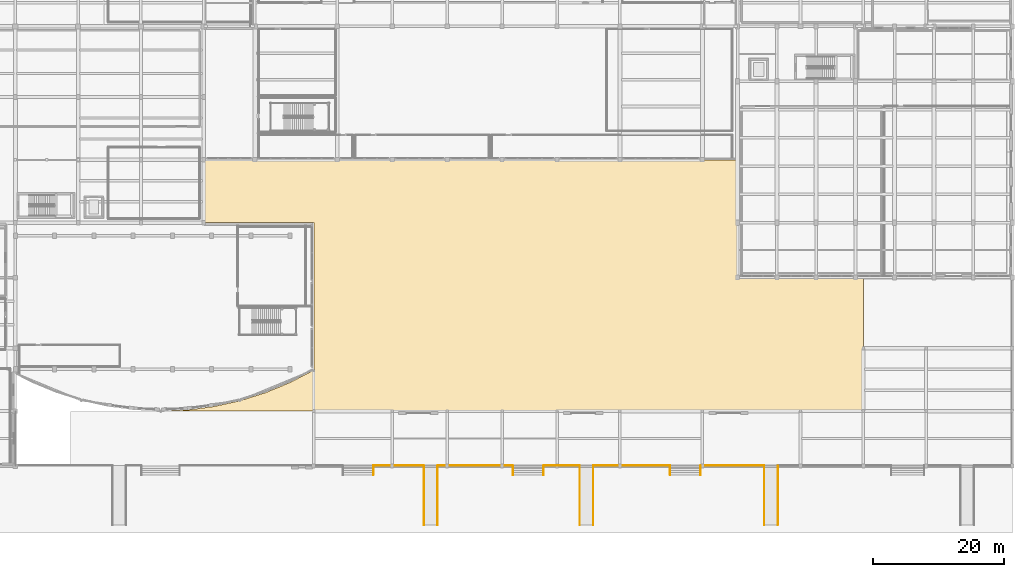
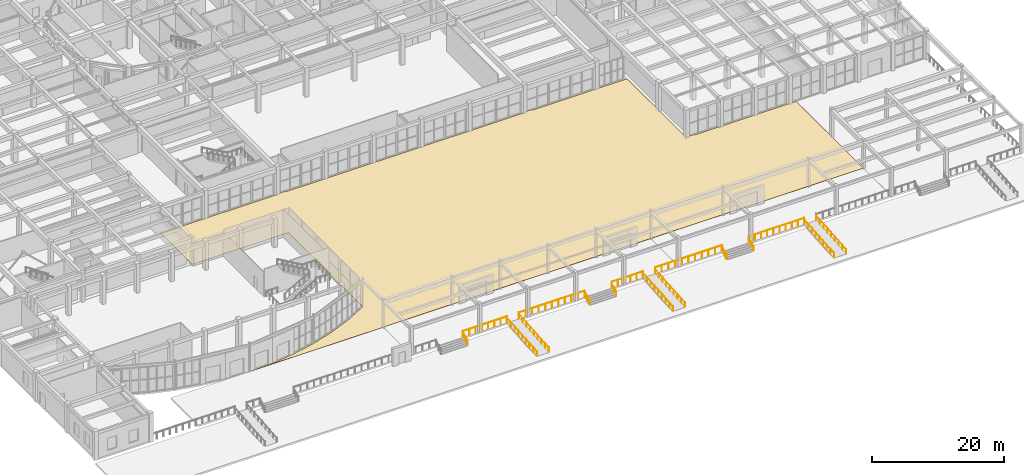
# One storey, part 87 of 98: 16 railings, 1 covering.
"""IFC4 building model written with IfcOpenShell, lengths in metres."""

from ifc_helpers import new_model, si_unit, direction, frame, origin, origin_2d, place, context, subcontext, project, spatial, polyline, circle, outline, extrude, material, layer, layer_set, type_object, element, save


model = new_model("IFC4")

# Units and contexts
model_context = context("Model", 3, precision=1e-05, world=origin(), true_north=direction((0.0, 1.0)))
body_context = subcontext(model_context, "Body", "Model", "MODEL_VIEW")
ifc_project = project(units=[si_unit("LENGTHUNIT", "METRE"), si_unit("AREAUNIT", "SQUARE_METRE"), si_unit("VOLUMEUNIT", "CUBIC_METRE"), si_unit("PLANEANGLEUNIT", "RADIAN"), si_unit("MASSUNIT", "GRAM", prefix="KILO")], contexts=[model_context])

# Site, building, storey
site_placement = place(None, origin())
site = spatial("IfcSite", under=ifc_project, at=site_placement, CompositionType="ELEMENT")
building_placement = place(site_placement, origin())
building = spatial("IfcBuilding", under=site, at=building_placement, Name="Tarnavel Promenade Courthouse", CompositionType="ELEMENT")
storey_placement = place(building_placement, origin())
storey = spatial("IfcBuildingStorey", under=building, at=storey_placement, Name="L01", CompositionType="ELEMENT", Elevation=0.0)

# Railings
ifc_material_1 = material(Name="Carved Limestone and Bronze Terrace Balustrade", Category="masonry")
railing_type_1 = type_object("IfcRailingType", Name="Carved Limestone and Bronze Terrace Balustrade (RL-BAL-1150)", PredefinedType="BALUSTRADE", material=ifc_material_1)
railing_1_placement = place(storey_placement, frame((64.360107421875, 0.080078125, 0.0)))
element("IfcRailing", 1, at=railing_1_placement, inside=storey, type_object=railing_type_1, Name="South Promenade Plinth Edge Balustrade 04", PredefinedType="BALUSTRADE", context=body_context, shape_type="SweptSolid", body=[
    extrude(circle(Radius=0.02392578125, at=origin_2d()), frame((0.0, 0.0, 1.1259765625), z_axis=(1.0, 0.0, 0.0), x_axis=(0.0, 1.0, 0.0)), (0.0, 0.0, 1.0), 7.679931640625),
    extrude(circle(Radius=0.02099609375, at=origin_2d()), origin(), (0.0, 0.0, 1.0), 1.101806640625),
    extrude(circle(Radius=0.02099609375, at=origin_2d()), frame((1.09716796875, 0.0, 0.0)), (0.0, 0.0, 1.0), 1.101806640625),
    extrude(circle(Radius=0.02099609375, at=origin_2d()), frame((2.1943359375, 0.0, 0.0)), (0.0, 0.0, 1.0), 1.101806640625),
    extrude(circle(Radius=0.02099609375, at=origin_2d()), frame((3.29150390625, 0.0, 0.0)), (0.0, 0.0, 1.0), 1.101806640625),
    extrude(circle(Radius=0.02099609375, at=origin_2d()), frame((4.388427734375, 0.0, 0.0)), (0.0, 0.0, 1.0), 1.101806640625),
    extrude(circle(Radius=0.02099609375, at=origin_2d()), frame((5.485595703125, 0.0, 0.0)), (0.0, 0.0, 1.0), 1.101806640625),
    extrude(circle(Radius=0.02099609375, at=origin_2d()), frame((6.582763671875, 0.0, 0.0)), (0.0, 0.0, 1.0), 1.101806640625),
    extrude(circle(Radius=0.02099609375, at=origin_2d()), frame((7.679931640625, 0.0, 0.0)), (0.0, 0.0, 1.0), 1.101806640625),
])
railing_2_placement = place(storey_placement, frame((74.159912109375, 0.080078125, 0.0)))
element("IfcRailing", 2, at=railing_2_placement, inside=storey, type_object=railing_type_1, Name="South Promenade Plinth Edge Balustrade 05", PredefinedType="BALUSTRADE", context=body_context, shape_type="SweptSolid", body=[
    extrude(circle(Radius=0.02392578125, at=origin_2d()), frame((0.0, 0.0, 1.1259765625), z_axis=(1.0, 0.0, 0.0), x_axis=(0.0, 1.0, 0.0)), (0.0, 0.0, 1.0), 11.47998046875),
    extrude(circle(Radius=0.02099609375, at=origin_2d()), origin(), (0.0, 0.0, 1.0), 1.101806640625),
    extrude(circle(Radius=0.02099609375, at=origin_2d()), frame((1.14794921875, 0.0, 0.0)), (0.0, 0.0, 1.0), 1.101806640625),
    extrude(circle(Radius=0.02099609375, at=origin_2d()), frame((2.2958984375, 0.0, 0.0)), (0.0, 0.0, 1.0), 1.101806640625),
    extrude(circle(Radius=0.02099609375, at=origin_2d()), frame((3.444091796875, 0.0, 0.0)), (0.0, 0.0, 1.0), 1.101806640625),
    extrude(circle(Radius=0.02099609375, at=origin_2d()), frame((4.592041015625, 0.0, 0.0)), (0.0, 0.0, 1.0), 1.101806640625),
    extrude(circle(Radius=0.02099609375, at=origin_2d()), frame((5.739990234375, 0.0, 0.0)), (0.0, 0.0, 1.0), 1.101806640625),
    extrude(circle(Radius=0.02099609375, at=origin_2d()), frame((6.887939453125, 0.0, 0.0)), (0.0, 0.0, 1.0), 1.101806640625),
    extrude(circle(Radius=0.02099609375, at=origin_2d()), frame((8.035888671875, 0.0, 0.0)), (0.0, 0.0, 1.0), 1.101806640625),
    extrude(circle(Radius=0.02099609375, at=origin_2d()), frame((9.18408203125, 0.0, 0.0)), (0.0, 0.0, 1.0), 1.101806640625),
    extrude(circle(Radius=0.02099609375, at=origin_2d()), frame((10.33203125, 0.0, 0.0)), (0.0, 0.0, 1.0), 1.101806640625),
    extrude(circle(Radius=0.02099609375, at=origin_2d()), frame((11.47998046875, 0.0, 0.0)), (0.0, 0.0, 1.0), 1.101806640625),
])
railing_3_placement = place(storey_placement, frame((90.360107421875, 0.080078125, 0.0)))
element("IfcRailing", 3, at=railing_3_placement, inside=storey, type_object=railing_type_1, Name="South Promenade Plinth Edge Balustrade 06", PredefinedType="BALUSTRADE", context=body_context, shape_type="SweptSolid", body=[
    extrude(circle(Radius=0.02392578125, at=origin_2d()), frame((0.0, 0.0, 1.1259765625), z_axis=(1.0, 0.0, 0.0), x_axis=(0.0, 1.0, 0.0)), (0.0, 0.0, 1.0), 5.47998046875),
    extrude(circle(Radius=0.02099609375, at=origin_2d()), origin(), (0.0, 0.0, 1.0), 1.101806640625),
    extrude(circle(Radius=0.02099609375, at=origin_2d()), frame((1.095947265625, 0.0, 0.0)), (0.0, 0.0, 1.0), 1.101806640625),
    extrude(circle(Radius=0.02099609375, at=origin_2d()), frame((2.19189453125, 0.0, 0.0)), (0.0, 0.0, 1.0), 1.101806640625),
    extrude(circle(Radius=0.02099609375, at=origin_2d()), frame((3.2880859375, 0.0, 0.0)), (0.0, 0.0, 1.0), 1.101806640625),
    extrude(circle(Radius=0.02099609375, at=origin_2d()), frame((4.384033203125, 0.0, 0.0)), (0.0, 0.0, 1.0), 1.101806640625),
    extrude(circle(Radius=0.02099609375, at=origin_2d()), frame((5.47998046875, 0.0, 0.0)), (0.0, 0.0, 1.0), 1.101806640625),
])
railing_4_placement = place(storey_placement, frame((97.9599609375, 0.080078125, 0.0)))
element("IfcRailing", 4, at=railing_4_placement, inside=storey, type_object=railing_type_1, Name="South Promenade Plinth Edge Balustrade 07", PredefinedType="BALUSTRADE", context=body_context, shape_type="SweptSolid", body=[
    extrude(circle(Radius=0.02392578125, at=origin_2d()), frame((0.0, 0.0, 1.1259765625), z_axis=(1.0, 0.0, 0.0), x_axis=(0.0, 1.0, 0.0)), (0.0, 0.0, 1.0), 11.679931640625),
    extrude(circle(Radius=0.02099609375, at=origin_2d()), origin(), (0.0, 0.0, 1.0), 1.101806640625),
    extrude(circle(Radius=0.02099609375, at=origin_2d()), frame((1.16796875, 0.0, 0.0)), (0.0, 0.0, 1.0), 1.101806640625),
    extrude(circle(Radius=0.02099609375, at=origin_2d()), frame((2.3359375, 0.0, 0.0)), (0.0, 0.0, 1.0), 1.101806640625),
    extrude(circle(Radius=0.02099609375, at=origin_2d()), frame((3.50390625, 0.0, 0.0)), (0.0, 0.0, 1.0), 1.101806640625),
    extrude(circle(Radius=0.02099609375, at=origin_2d()), frame((4.671875, 0.0, 0.0)), (0.0, 0.0, 1.0), 1.101806640625),
    extrude(circle(Radius=0.02099609375, at=origin_2d()), frame((5.83984375, 0.0, 0.0)), (0.0, 0.0, 1.0), 1.101806640625),
    extrude(circle(Radius=0.02099609375, at=origin_2d()), frame((7.008056640625, 0.0, 0.0)), (0.0, 0.0, 1.0), 1.101806640625),
    extrude(circle(Radius=0.02099609375, at=origin_2d()), frame((8.176025390625, 0.0, 0.0)), (0.0, 0.0, 1.0), 1.101806640625),
    extrude(circle(Radius=0.02099609375, at=origin_2d()), frame((9.343994140625, 0.0, 0.0)), (0.0, 0.0, 1.0), 1.101806640625),
    extrude(circle(Radius=0.02099609375, at=origin_2d()), frame((10.511962890625, 0.0, 0.0)), (0.0, 0.0, 1.0), 1.101806640625),
    extrude(circle(Radius=0.02099609375, at=origin_2d()), frame((11.679931640625, 0.0, 0.0)), (0.0, 0.0, 1.0), 1.101806640625),
])
railing_5_placement = place(storey_placement, frame((114.360107421875, 0.080078125, 0.0)))
element("IfcRailing", 5, at=railing_5_placement, inside=storey, type_object=railing_type_1, Name="South Promenade Plinth Edge Balustrade 08", PredefinedType="BALUSTRADE", context=body_context, shape_type="SweptSolid", body=[
    extrude(circle(Radius=0.02392578125, at=origin_2d()), frame((0.0, 0.0, 1.1259765625), z_axis=(1.0, 0.0, 0.0), x_axis=(0.0, 1.0, 0.0)), (0.0, 0.0, 1.0), 9.679931640625),
    extrude(circle(Radius=0.02099609375, at=origin_2d()), origin(), (0.0, 0.0, 1.0), 1.101806640625),
    extrude(circle(Radius=0.02099609375, at=origin_2d()), frame((1.075439453125, 0.0, 0.0)), (0.0, 0.0, 1.0), 1.101806640625),
    extrude(circle(Radius=0.02099609375, at=origin_2d()), frame((2.151123046875, 0.0, 0.0)), (0.0, 0.0, 1.0), 1.101806640625),
    extrude(circle(Radius=0.02099609375, at=origin_2d()), frame((3.2265625, 0.0, 0.0)), (0.0, 0.0, 1.0), 1.101806640625),
    extrude(circle(Radius=0.02099609375, at=origin_2d()), frame((4.30224609375, 0.0, 0.0)), (0.0, 0.0, 1.0), 1.101806640625),
    extrude(circle(Radius=0.02099609375, at=origin_2d()), frame((5.377685546875, 0.0, 0.0)), (0.0, 0.0, 1.0), 1.101806640625),
    extrude(circle(Radius=0.02099609375, at=origin_2d()), frame((6.453369140625, 0.0, 0.0)), (0.0, 0.0, 1.0), 1.101806640625),
    extrude(circle(Radius=0.02099609375, at=origin_2d()), frame((7.52880859375, 0.0, 0.0)), (0.0, 0.0, 1.0), 1.101806640625),
    extrude(circle(Radius=0.02099609375, at=origin_2d()), frame((8.6044921875, 0.0, 0.0)), (0.0, 0.0, 1.0), 1.101806640625),
    extrude(circle(Radius=0.02099609375, at=origin_2d()), frame((9.679931640625, 0.0, 0.0)), (0.0, 0.0, 1.0), 1.101806640625),
])

# Covering
ifc_material_2 = material(Name="Flamed Subarctic Granite Courtyard Paving", Category="masonry")
ifc_layer = layer(ifc_material_2, 0.050048828125)
ifc_layer_set = layer_set([ifc_layer], Name="Flamed Subarctic Granite Courtyard Paving")
covering_type = type_object("IfcCoveringType", Name="Flamed Subarctic Granite Courtyard Paving COV-PAV-GRN-50 (50 mm)", PredefinedType="FLOORING", material=ifc_layer_set)
covering_placement = place(storey_placement, frame((0.0, 0.0, -0.050048828125)))
element("IfcCovering", 6, at=covering_placement, inside=storey, type_object=covering_type, Name="L01 Promenade Courtyard Flamed Granite Paving 01", PredefinedType="FLOORING", context=body_context, shape_type="SweptSolid", body=[
    extrude(outline(polyline([(9.6201171875, 0.25), (9.6201171875, 14.012451171875), (12.013916015625, 12.766357421875), (15.785888671875, 11.203857421875), (19.682861328125, 9.97509765625), (23.670654296875, 9.09130859375), (27.718505859375, 8.558349609375), (31.80078125, 8.3798828125), (35.8798828125, 8.55810546875), (39.92919921875, 9.09130859375), (43.918701171875, 9.9755859375), (47.8125, 11.203369140625), (51.586181640625, 12.766357421875), (55.216552734375, 14.65869140625), (55.217529296875, 37.20947265625), (55.199951171875, 37.219970703125), (38.3798828125, 37.219970703125), (38.39990234375, 37.239990234375), (38.39990234375, 46.800048828125), (38.419921875, 46.780029296875), (58.780029296875, 46.780029296875), (58.7998046875, 46.798095703125), (58.800048828125, 46.9599609375), (58.820068359375, 46.93994140625), (60.199951171875, 46.93994140625), (60.2001953125, 46.798095703125), (60.219970703125, 46.780029296875), (101.97998046875, 46.780029296875), (102.0, 46.798095703125), (102.0, 46.9599609375), (102.02001953125, 46.93994140625), (103.39990234375, 46.93994140625), (103.400146484375, 46.798095703125), (103.419921875, 46.780029296875), (119.97998046875, 46.780029296875), (120.0, 46.800048828125), (120.005859375, 28.9658203125), (121.39990234375, 28.9599609375), (121.400146484375, 28.818115234375), (121.419921875, 28.800048828125), (139.219970703125, 28.800048828125), (139.199951171875, 28.780029296875), (139.199951171875, 8.39990234375), (139.179931640625, 8.419921875), (102.02001953125, 8.419921875), (102.0, 8.39990234375), (101.97998046875, 8.419921875), (55.219970703125, 8.419921875), (55.200927734375, 8.40576171875), (55.199951171875, 8.360107421875), (55.179931640625, 8.3798828125), (17.998046875, 8.3798828125), (17.97998046875, 8.360107421875), (17.97998046875, 0.25), (9.6201171875, 0.25)])), origin(), (0.0, 0.0, 1.0), 0.050048828125),
])

# Railings
ifc_material_3 = material(Name="Heated Brushed Bronze Exterior Ramp & Plinth Handrail")
railing_type_2 = type_object("IfcRailingType", Name="Heated Brushed Bronze Exterior Ramp & Plinth Handrail (RL-HND-0920)", PredefinedType="HANDRAIL", material=ifc_material_3)
for number, where, name in (
    (7, (64.320068359375, -1.360107421875, -0.60009765625), "ST-12 Heated Bronze Handrail E"),
    (8, (85.679931640625, -1.360107421875, -0.60009765625), "ST-13 Heated Bronze Handrail W"),
    (9, (90.320068359375, -1.360107421875, -0.60009765625), "ST-13 Heated Bronze Handrail E"),
    (10, (109.679931640625, -1.360107421875, -0.60009765625), "ST-14 Heated Bronze Handrail W"),
    (11, (114.320068359375, -1.360107421875, -0.60009765625), "ST-14 Heated Bronze Handrail E"),
):
    element("IfcRailing", number, at=place(storey_placement, frame(where)), inside=storey, type_object=railing_type_2, Name=name, PredefinedType="HANDRAIL", context=body_context, shape_type="SweptSolid", body=[
        extrude(circle(Radius=0.02392578125, at=origin_2d()), frame((0.0, 0.0, 0.89599609375), z_axis=(0.0, 0.914905314696, 0.403668508979), x_axis=(-1.0, 0.0, 0.0)), (0.0, 0.0, 1.0), 1.486572265625),
        extrude(circle(Radius=0.02099609375, at=origin_2d()), origin(), (0.0, 0.0, 1.0), 0.871826171875),
        extrude(circle(Radius=0.02099609375, at=origin_2d()), frame((0.0, 0.68017578125, 0.300048828125)), (0.0, 0.0, 1.0), 0.871826171875),
        extrude(circle(Radius=0.02099609375, at=origin_2d()), frame((0.0, 1.360107421875, 0.60009765625)), (0.0, 0.0, 1.0), 0.871826171875),
    ])
for number, where, name in (
    (12, (72.06005859375, -9.0, -0.75), "RMP-02 Heated Bronze Ramp Handrail W"),
    (13, (74.139892578125, -9.0, -0.75), "RMP-02 Heated Bronze Ramp Handrail E"),
    (14, (95.860107421875, -9.0, -0.75), "RMP-05 Heated Bronze Ramp Handrail W"),
    (15, (97.93994140625, -9.0, -0.75), "RMP-05 Heated Bronze Ramp Handrail E"),
    (16, (124.06005859375, -9.0, -0.75), "RMP-03 Heated Bronze Ramp Handrail W"),
    (17, (126.139892578125, -9.0, -0.75), "RMP-03 Heated Bronze Ramp Handrail E"),
):
    element("IfcRailing", number, at=place(storey_placement, frame(where)), inside=storey, type_object=railing_type_2, Name=name, PredefinedType="HANDRAIL", context=body_context, shape_type="SweptSolid", body=[
        extrude(circle(Radius=0.02392578125, at=origin_2d()), frame((0.0, 0.0, 0.89599609375), z_axis=(0.0, 0.996583663068, 0.082589360731), x_axis=(-1.0, 0.0, 0.0)), (0.0, 0.0, 1.0), 9.0810546875),
        extrude(circle(Radius=0.02099609375, at=origin_2d()), origin(), (0.0, 0.0, 1.0), 0.871826171875),
        extrude(circle(Radius=0.02099609375, at=origin_2d()), frame((0.0, 1.13134765625, 0.09375)), (0.0, 0.0, 1.0), 0.871826171875),
        extrude(circle(Radius=0.02099609375, at=origin_2d()), frame((0.0, 2.262451171875, 0.1875)), (0.0, 0.0, 1.0), 0.871826171875),
        extrude(circle(Radius=0.02099609375, at=origin_2d()), frame((0.0, 3.393798828125, 0.28125)), (0.0, 0.0, 1.0), 0.871826171875),
        extrude(circle(Radius=0.02099609375, at=origin_2d()), frame((0.0, 4.52490234375, 0.375)), (0.0, 0.0, 1.0), 0.871826171875),
        extrude(circle(Radius=0.02099609375, at=origin_2d()), frame((0.0, 5.65625, 0.46875)), (0.0, 0.0, 1.0), 0.871826171875),
        extrude(circle(Radius=0.02099609375, at=origin_2d()), frame((0.0, 6.78759765625, 0.5625)), (0.0, 0.0, 1.0), 0.871826171875),
        extrude(circle(Radius=0.02099609375, at=origin_2d()), frame((0.0, 7.918701171875, 0.65625)), (0.0, 0.0, 1.0), 0.871826171875),
        extrude(circle(Radius=0.02099609375, at=origin_2d()), frame((0.0, 9.050048828125, 0.75)), (0.0, 0.0, 1.0), 0.871826171875),
    ])

save(model, "model.ifc")
